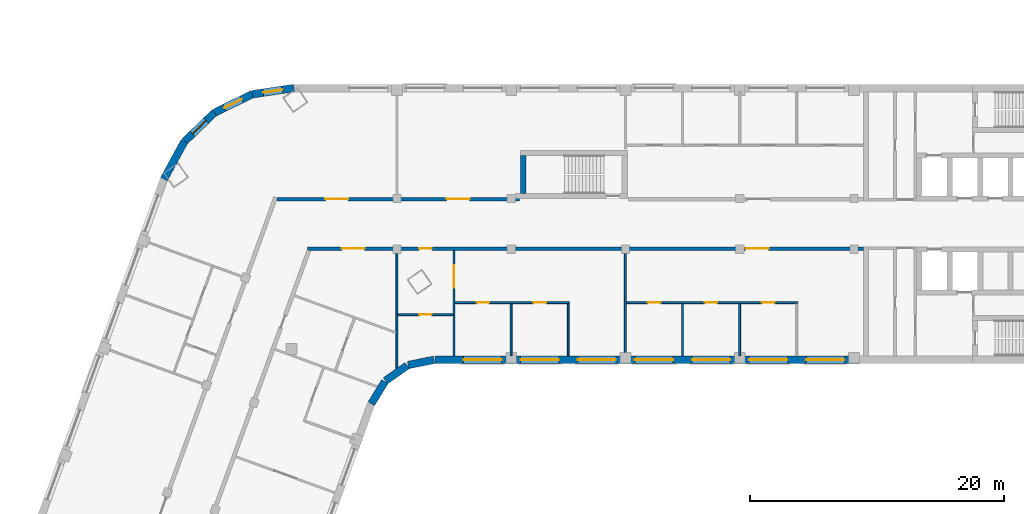
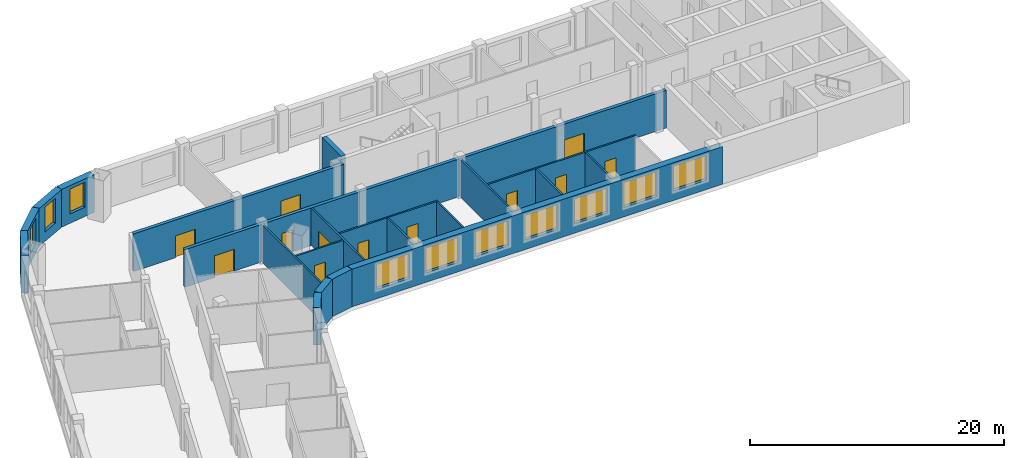
# One storey, part 4 of 12: 21 walls, 12 doors, 10 windows, 22 openings.
"""IFC4 building model written with IfcOpenShell, lengths in metres."""

from ifc_helpers import new_model, si_unit, direction, frame, frame_2d, origin, place, context, subcontext, project, spatial, rectangle, extrude, material, layer, layer_set, type_object, element, fill, save


model = new_model("IFC4")

# Units and contexts
model_context = context("Model", 3, precision=1e-05, world=origin(), true_north=direction((0.0, 1.0)))
body_context = subcontext(model_context, "Body", "Model", "MODEL_VIEW")
ifc_project = project(units=[si_unit("LENGTHUNIT", "METRE"), si_unit("AREAUNIT", "SQUARE_METRE"), si_unit("VOLUMEUNIT", "CUBIC_METRE"), si_unit("PLANEANGLEUNIT", "RADIAN"), si_unit("MASSUNIT", "GRAM", prefix="KILO")], contexts=[model_context])

# Site, building, storey
site_placement = place(None, origin())
site = spatial("IfcSite", under=ifc_project, at=site_placement, CompositionType="ELEMENT")
building_placement = place(site_placement, origin())
building = spatial("IfcBuilding", under=site, at=building_placement, Name="Skarvind Civic Tower", CompositionType="ELEMENT")
storey_placement = place(building_placement, frame((0.0, 0.0, 85.0)))
storey = spatial("IfcBuildingStorey", under=building, at=storey_placement, Name="L19", CompositionType="ELEMENT", Elevation=85.0)

# Wall, openings, doors
ifc_material_1 = material(Name="Fire-rated gypsum board on steel studs", Category="steel")
ifc_layer_1 = layer(ifc_material_1, 0.300048828125)
ifc_layer_set_1 = layer_set([ifc_layer_1], Name="CORRIDOR WALL 300")
wall_type_1 = type_object("IfcWallType", Name="CORRIDOR WALL 300", PredefinedType="PARTITIONING", material=ifc_layer_set_1)
wall_1_placement = place(storey_placement, frame((44.784912109375, 129.949951171875, 0.0), z_axis=(0.0, 0.0, 1.0), x_axis=(1.0, 0.0, 0.0)))
wall_1 = element("IfcWall", 1, at=wall_1_placement, inside=storey, type_object=wall_type_1, Name="Partition 19.013", PredefinedType="PARTITIONING", context=body_context, shape_type="SweptSolid", body=[
    extrude(rectangle(XDim=19.114990234375, YDim=0.300048828125, at=frame_2d((9.5576171875, 0.0))), origin(), (0.0, 0.0, 1.0), 3.625),
])
opening_1_placement = place(wall_1_placement, frame((13.389892578125, 0.0, 0.0)))
opening_1 = element("IfcOpeningElement", 2, at=opening_1_placement, cuts=wall_1, Name="Opening L19-D006", PredefinedType="OPENING", context=body_context, shape_type="SweptSolid", body=[
    extrude(rectangle(XDim=1.800048828125, YDim=2.10009765625, at=frame_2d((0.89990234375, 1.050048828125))), frame((0.0, 0.159912109375, 0.0), z_axis=(0.0, -1.0, 0.0), x_axis=(1.0, 0.0, 0.0)), (0.0, 0.0, 1.0), 0.320068359375),
])
opening_2_placement = place(wall_1_placement, frame((3.822509765625, 0.0, 0.0)))
opening_2 = element("IfcOpeningElement", 3, at=opening_2_placement, cuts=wall_1, Name="Opening L19-D027", PredefinedType="OPENING", context=body_context, shape_type="SweptSolid", body=[
    extrude(rectangle(XDim=1.800048828125, YDim=2.10009765625, at=frame_2d((0.89990234375, 1.050048828125))), frame((0.0, 0.159912109375, 0.0), z_axis=(0.0, -1.0, 0.0), x_axis=(1.0, 0.0, 0.0)), (0.0, 0.0, 1.0), 0.320068359375),
])
ifc_material_2 = material(Name="Fire-rated timber door leaf", Category="wood")
door_type_1 = type_object("IfcDoorType", Name="FD4 1800x2100", OperationType="NOTDEFINED", PredefinedType="DOOR", material=ifc_material_2)
door_1_placement = place(opening_1_placement, origin())
door_1 = element("IfcDoor", 4, at=door_1_placement, inside=storey, type_object=door_type_1, Name="Door L19-D006", OperationType="DOUBLE_DOOR_SINGLE_SWING", OverallHeight=2.10009765625, OverallWidth=1.800048828125, PredefinedType="DOOR", context=body_context, shape_type="SweptSolid", body=[
    extrude(rectangle(XDim=1.800048828125, YDim=2.10009765625, at=frame_2d((0.89990234375, 1.050048828125))), frame((0.0, 0.02490234375, 0.0), z_axis=(0.0, -1.0, 0.0), x_axis=(1.0, 0.0, 0.0)), (0.0, 0.0, 1.0), 0.050048828125),
])
fill(opening_1, door_1)
door_2_placement = place(opening_2_placement, origin())
door_2 = element("IfcDoor", 5, at=door_2_placement, inside=storey, type_object=door_type_1, Name="Door L19-D027", OperationType="DOUBLE_DOOR_SINGLE_SWING", OverallHeight=2.10009765625, OverallWidth=1.800048828125, PredefinedType="DOOR", context=body_context, shape_type="SweptSolid", body=[
    extrude(rectangle(XDim=1.800048828125, YDim=2.10009765625, at=frame_2d((0.89990234375, 1.050048828125))), frame((0.0, 0.02490234375, 0.0), z_axis=(0.0, -1.0, 0.0), x_axis=(1.0, 0.0, 0.0)), (0.0, 0.0, 1.0), 0.050048828125),
])
fill(opening_2, door_2)

wall_2_placement = place(storey_placement, frame((91.0, 126.050048828125, 0.0), z_axis=(0.0, 0.0, 1.0), x_axis=(-1.0, 0.0, 0.0)))
wall_2 = element("IfcWall", 6, at=wall_2_placement, inside=storey, type_object=wall_type_1, Name="Partition 19.039", PredefinedType="PARTITIONING", context=body_context, shape_type="SweptSolid", body=[
    extrude(rectangle(XDim=43.784912109375, YDim=0.300048828125, at=frame_2d((21.892578125, 0.0))), origin(), (0.0, 0.0, 1.0), 3.625),
])
opening_3_placement = place(wall_2_placement, frame((7.47509765625, 0.0, 0.0)))
opening_3 = element("IfcOpeningElement", 7, at=opening_3_placement, cuts=wall_2, Name="Opening L19-D010", PredefinedType="OPENING", context=body_context, shape_type="SweptSolid", body=[
    extrude(rectangle(XDim=1.800048828125, YDim=2.10009765625, at=frame_2d((0.89990234375, 1.050048828125))), frame((0.0, 0.159912109375, 0.0), z_axis=(0.0, -1.0, 0.0), x_axis=(1.0, 0.0, 0.0)), (0.0, 0.0, 1.0), 0.320068359375),
])
opening_4_placement = place(wall_2_placement, frame((34.0, 0.0, 0.0)))
opening_4 = element("IfcOpeningElement", 8, at=opening_4_placement, cuts=wall_2, Name="Opening L19-D011", PredefinedType="OPENING", context=body_context, shape_type="SweptSolid", body=[
    extrude(rectangle(XDim=1.0, YDim=2.10009765625, at=frame_2d((0.5, 1.050048828125))), frame((0.0, 0.159912109375, 0.0), z_axis=(0.0, -1.0, 0.0), x_axis=(1.0, 0.0, 0.0)), (0.0, 0.0, 1.0), 0.320068359375),
])
opening_5_placement = place(wall_2_placement, frame((39.2958984375, 0.0, 0.0)))
opening_5 = element("IfcOpeningElement", 9, at=opening_5_placement, cuts=wall_2, Name="Opening L19-D028", PredefinedType="OPENING", context=body_context, shape_type="SweptSolid", body=[
    extrude(rectangle(XDim=1.800048828125, YDim=2.10009765625, at=frame_2d((0.89990234375, 1.050048828125))), frame((0.0, 0.159912109375, 0.0), z_axis=(0.0, -1.0, 0.0), x_axis=(1.0, 0.0, 0.0)), (0.0, 0.0, 1.0), 0.320068359375),
])
door_type_2 = type_object("IfcDoorType", Name="FD1 1000x2100", OperationType="NOTDEFINED", PredefinedType="DOOR", material=ifc_material_2)
door_3_placement = place(opening_4_placement, origin())
door_3 = element("IfcDoor", 10, at=door_3_placement, inside=storey, type_object=door_type_2, Name="Door L19-D011", OperationType="SINGLE_SWING_LEFT", OverallHeight=2.10009765625, OverallWidth=1.0, PredefinedType="DOOR", context=body_context, shape_type="SweptSolid", body=[
    extrude(rectangle(XDim=1.0, YDim=2.10009765625, at=frame_2d((0.5, 1.050048828125))), frame((0.0, 0.02490234375, 0.0), z_axis=(0.0, -1.0, 0.0), x_axis=(1.0, 0.0, 0.0)), (0.0, 0.0, 1.0), 0.050048828125),
])
fill(opening_4, door_3)
door_4_placement = place(opening_3_placement, origin())
door_4 = element("IfcDoor", 11, at=door_4_placement, inside=storey, type_object=door_type_1, Name="Door L19-D010", OperationType="DOUBLE_DOOR_SINGLE_SWING", OverallHeight=2.10009765625, OverallWidth=1.800048828125, PredefinedType="DOOR", context=body_context, shape_type="SweptSolid", body=[
    extrude(rectangle(XDim=1.800048828125, YDim=2.10009765625, at=frame_2d((0.89990234375, 1.050048828125))), frame((0.0, 0.02490234375, 0.0), z_axis=(0.0, -1.0, 0.0), x_axis=(1.0, 0.0, 0.0)), (0.0, 0.0, 1.0), 0.050048828125),
])
fill(opening_3, door_4)
door_5_placement = place(opening_5_placement, origin())
door_5 = element("IfcDoor", 12, at=door_5_placement, inside=storey, type_object=door_type_1, Name="Door L19-D028", OperationType="DOUBLE_DOOR_SINGLE_SWING", OverallHeight=2.10009765625, OverallWidth=1.800048828125, PredefinedType="DOOR", context=body_context, shape_type="SweptSolid", body=[
    extrude(rectangle(XDim=1.800048828125, YDim=2.10009765625, at=frame_2d((0.89990234375, 1.050048828125))), frame((0.0, 0.02490234375, 0.0), z_axis=(0.0, -1.0, 0.0), x_axis=(1.0, 0.0, 0.0)), (0.0, 0.0, 1.0), 0.050048828125),
])
fill(opening_5, door_5)

# Walls
ifc_material_3 = material(Name="Concrete C80", Category="concrete")
ifc_layer_2 = layer(ifc_material_3, 0.39990234375)
ifc_layer_set_2 = layer_set([ifc_layer_2], Name="Core wall 400 C80")
wall_type_2 = type_object("IfcWallType", Name="Core wall 400 C80", PredefinedType="SHEAR", material=ifc_layer_set_2)
wall_3_placement = place(storey_placement, frame((64.199951171875, 130.39990234375, 0.0), z_axis=(0.0, 0.0, 1.0), x_axis=(0.0, 1.0, 0.0)))
element("IfcWall", 13, at=wall_3_placement, inside=storey, type_object=wall_type_2, Name="Core wall CM west L19", PredefinedType="SHEAR", context=body_context, shape_type="SweptSolid", body=[
    extrude(rectangle(XDim=3.0, YDim=0.39990234375, at=frame_2d((1.5, 0.0))), origin(), (0.0, 0.0, 1.0), 4.0),
])
ifc_material_4 = material(Name="Plasterboard partition on steel studs", Category="steel")
ifc_layer_3 = layer(ifc_material_4, 0.14990234375)
ifc_layer_set_3 = layer_set([ifc_layer_3], Name="PARTITION 150")
wall_type_3 = type_object("IfcWallType", Name="PARTITION 150", PredefinedType="PARTITIONING", material=ifc_layer_set_3)
wall_4_placement = place(storey_placement, frame((54.25, 116.636962890625, 0.0), z_axis=(0.0, 0.0, 1.0), x_axis=(0.0, 1.0, 0.0)))
element("IfcWall", 14, at=wall_4_placement, inside=storey, type_object=wall_type_3, Name="Partition 19.020", PredefinedType="PARTITIONING", context=body_context, shape_type="SweptSolid", body=[
    extrude(rectangle(XDim=9.262939453125, YDim=0.14990234375, at=frame_2d((4.63134765625, 0.0))), origin(), (0.0, 0.0, 1.0), 3.625),
])

# Wall, opening, door
wall_5_placement = place(storey_placement, frame((54.324951171875, 120.85009765625, 0.0), z_axis=(0.0, 0.0, 1.0), x_axis=(1.0, 0.0, 0.0)))
wall_5 = element("IfcWall", 15, at=wall_5_placement, inside=storey, type_object=wall_type_3, Name="Partition 19.021", PredefinedType="PARTITIONING", context=body_context, shape_type="SweptSolid", body=[
    extrude(rectangle(XDim=4.35009765625, YDim=0.14990234375, at=frame_2d((2.175048828125, 0.0))), origin(), (0.0, 0.0, 1.0), 3.625),
])
opening_6_placement = place(wall_5_placement, frame((1.675048828125, 0.0, 0.0)))
opening_6 = element("IfcOpeningElement", 16, at=opening_6_placement, cuts=wall_5, Name="Opening L19-D014", PredefinedType="OPENING", context=body_context, shape_type="SweptSolid", body=[
    extrude(rectangle(XDim=1.0, YDim=2.10009765625, at=frame_2d((0.5, 1.050048828125))), frame((0.0, 0.0849609375, 0.0), z_axis=(0.0, -1.0, 0.0), x_axis=(1.0, 0.0, 0.0)), (0.0, 0.0, 1.0), 0.169921875),
])
ifc_material_5 = material(Name="Timber door leaf", Category="wood")
door_type_3 = type_object("IfcDoorType", Name="D1 1000x2100", OperationType="NOTDEFINED", PredefinedType="DOOR", material=ifc_material_5)
door_6_placement = place(opening_6_placement, origin())
door_6 = element("IfcDoor", 17, at=door_6_placement, inside=storey, type_object=door_type_3, Name="Door L19-D014", OperationType="SINGLE_SWING_LEFT", OverallHeight=2.10009765625, OverallWidth=1.0, PredefinedType="DOOR", context=body_context, shape_type="SweptSolid", body=[
    extrude(rectangle(XDim=1.0, YDim=2.10009765625, at=frame_2d((0.5, 1.050048828125))), frame((0.0, 0.02490234375, 0.0), z_axis=(0.0, -1.0, 0.0), x_axis=(1.0, 0.0, 0.0)), (0.0, 0.0, 1.0), 0.050048828125),
])
fill(opening_6, door_6)

wall_6_placement = place(storey_placement, frame((58.75, 117.60009765625, 0.0), z_axis=(0.0, 0.0, 1.0), x_axis=(0.0, 1.0, 0.0)))
wall_6 = element("IfcWall", 18, at=wall_6_placement, inside=storey, type_object=wall_type_3, Name="Partition 19.023", PredefinedType="PARTITIONING", context=body_context, shape_type="SweptSolid", body=[
    extrude(rectangle(XDim=8.2998046875, YDim=0.14990234375, at=frame_2d((4.14990234375, 0.0))), origin(), (0.0, 0.0, 1.0), 3.625),
])
opening_7_placement = place(wall_6_placement, frame((5.360107421875, 0.0, 0.0)))
opening_7 = element("IfcOpeningElement", 19, at=opening_7_placement, cuts=wall_6, Name="Opening L19-D015", PredefinedType="OPENING", context=body_context, shape_type="SweptSolid", body=[
    extrude(rectangle(XDim=1.800048828125, YDim=2.10009765625, at=frame_2d((0.89990234375, 1.050048828125))), frame((0.0, 0.0849609375, 0.0), z_axis=(0.0, -1.0, 0.0), x_axis=(1.0, 0.0, 0.0)), (0.0, 0.0, 1.0), 0.169921875),
])
door_type_4 = type_object("IfcDoorType", Name="D4 1800x2100", OperationType="NOTDEFINED", PredefinedType="DOOR", material=ifc_material_5)
door_7_placement = place(opening_7_placement, origin())
door_7 = element("IfcDoor", 20, at=door_7_placement, inside=storey, type_object=door_type_4, Name="Door L19-D015", OperationType="DOUBLE_DOOR_SINGLE_SWING", OverallHeight=2.10009765625, OverallWidth=1.800048828125, PredefinedType="DOOR", context=body_context, shape_type="SweptSolid", body=[
    extrude(rectangle(XDim=1.800048828125, YDim=2.10009765625, at=frame_2d((0.89990234375, 1.050048828125))), frame((0.0, 0.02490234375, 0.0), z_axis=(0.0, -1.0, 0.0), x_axis=(1.0, 0.0, 0.0)), (0.0, 0.0, 1.0), 0.050048828125),
])
fill(opening_7, door_7)

# Wall, openings, doors
wall_7_placement = place(storey_placement, frame((58.824951171875, 121.800048828125, 0.0), z_axis=(0.0, 0.0, 1.0), x_axis=(1.0, 0.0, 0.0)))
wall_7 = element("IfcWall", 21, at=wall_7_placement, inside=storey, type_object=wall_type_3, Name="Partition 19.024", PredefinedType="PARTITIONING", context=body_context, shape_type="SweptSolid", body=[
    extrude(rectangle(XDim=9.0, YDim=0.14990234375, at=frame_2d((4.5, 0.0))), origin(), (0.0, 0.0, 1.0), 3.625),
])
opening_8_placement = place(wall_7_placement, frame((1.702392578125, 0.0, 0.0)))
opening_8 = element("IfcOpeningElement", 22, at=opening_8_placement, cuts=wall_7, Name="Opening L19-D012", PredefinedType="OPENING", context=body_context, shape_type="SweptSolid", body=[
    extrude(rectangle(XDim=1.0, YDim=2.10009765625, at=frame_2d((0.5, 1.050048828125))), frame((0.0, 0.0849609375, 0.0), z_axis=(0.0, -1.0, 0.0), x_axis=(1.0, 0.0, 0.0)), (0.0, 0.0, 1.0), 0.169921875),
])
opening_9_placement = place(wall_7_placement, frame((6.175048828125, 0.0, 0.0)))
opening_9 = element("IfcOpeningElement", 23, at=opening_9_placement, cuts=wall_7, Name="Opening L19-D013", PredefinedType="OPENING", context=body_context, shape_type="SweptSolid", body=[
    extrude(rectangle(XDim=1.0, YDim=2.10009765625, at=frame_2d((0.5, 1.050048828125))), frame((0.0, 0.0849609375, 0.0), z_axis=(0.0, -1.0, 0.0), x_axis=(1.0, 0.0, 0.0)), (0.0, 0.0, 1.0), 0.169921875),
])
door_8_placement = place(opening_8_placement, origin())
door_8 = element("IfcDoor", 24, at=door_8_placement, inside=storey, type_object=door_type_3, Name="Door L19-D012", OperationType="SINGLE_SWING_LEFT", OverallHeight=2.10009765625, OverallWidth=1.0, PredefinedType="DOOR", context=body_context, shape_type="SweptSolid", body=[
    extrude(rectangle(XDim=1.0, YDim=2.10009765625, at=frame_2d((0.5, 1.050048828125))), frame((0.0, 0.02490234375, 0.0), z_axis=(0.0, -1.0, 0.0), x_axis=(1.0, 0.0, 0.0)), (0.0, 0.0, 1.0), 0.050048828125),
])
fill(opening_8, door_8)
door_9_placement = place(opening_9_placement, origin())
door_9 = element("IfcDoor", 25, at=door_9_placement, inside=storey, type_object=door_type_3, Name="Door L19-D013", OperationType="SINGLE_SWING_RIGHT", OverallHeight=2.10009765625, OverallWidth=1.0, PredefinedType="DOOR", context=body_context, shape_type="SweptSolid", body=[
    extrude(rectangle(XDim=1.0, YDim=2.10009765625, at=frame_2d((0.5, 1.050048828125))), frame((0.0, 0.02490234375, 0.0), z_axis=(0.0, -1.0, 0.0), x_axis=(1.0, 0.0, 0.0)), (0.0, 0.0, 1.0), 0.050048828125),
])
fill(opening_9, door_9)

# Walls
for number, where, z_axis, x_axis, name in (
    (26, (63.25, 121.72509765625, 0.0), (0.0, 0.0, 1.0), (0.0, -1.0, 0.0), "Partition 19.025"),
    (27, (67.75, 117.60009765625, 0.0), (0.0, 0.0, 1.0), (0.0, 1.0, 0.0), "Partition 19.026"),
):
    element("IfcWall", number, at=place(storey_placement, frame(where, z_axis=z_axis, x_axis=x_axis)), inside=storey, type_object=wall_type_3, Name=name, PredefinedType="PARTITIONING", context=body_context, shape_type="SweptSolid", body=[
        extrude(rectangle(XDim=4.125, YDim=0.14990234375, at=frame_2d((2.0625, 0.0))), origin(), (0.0, 0.0, 1.0), 3.625),
    ])
wall_8_placement = place(storey_placement, frame((72.25, 117.60009765625, 0.0), z_axis=(0.0, 0.0, 1.0), x_axis=(0.0, 1.0, 0.0)))
element("IfcWall", 28, at=wall_8_placement, inside=storey, type_object=wall_type_3, Name="Partition 19.027", PredefinedType="PARTITIONING", context=body_context, shape_type="SweptSolid", body=[
    extrude(rectangle(XDim=8.2998046875, YDim=0.14990234375, at=frame_2d((4.14990234375, 0.0))), origin(), (0.0, 0.0, 1.0), 3.625),
])

# Wall, openings, doors
wall_9_placement = place(storey_placement, frame((72.324951171875, 121.800048828125, 0.0), z_axis=(0.0, 0.0, 1.0), x_axis=(1.0, 0.0, 0.0)))
wall_9 = element("IfcWall", 29, at=wall_9_placement, inside=storey, type_object=wall_type_3, Name="Partition 19.028", PredefinedType="PARTITIONING", context=body_context, shape_type="SweptSolid", body=[
    extrude(rectangle(XDim=13.5, YDim=0.14990234375, at=frame_2d((6.75, 0.0))), origin(), (0.0, 0.0, 1.0), 3.625),
])
opening_10_placement = place(wall_9_placement, frame((10.675048828125, 0.0, 0.0)))
opening_10 = element("IfcOpeningElement", 30, at=opening_10_placement, cuts=wall_9, Name="Opening L19-D007", PredefinedType="OPENING", context=body_context, shape_type="SweptSolid", body=[
    extrude(rectangle(XDim=1.0, YDim=2.10009765625, at=frame_2d((0.5, 1.050048828125))), frame((0.0, 0.0849609375, 0.0), z_axis=(0.0, -1.0, 0.0), x_axis=(1.0, 0.0, 0.0)), (0.0, 0.0, 1.0), 0.169921875),
])
opening_11_placement = place(wall_9_placement, frame((6.175048828125, 0.0, 0.0)))
opening_11 = element("IfcOpeningElement", 31, at=opening_11_placement, cuts=wall_9, Name="Opening L19-D008", PredefinedType="OPENING", context=body_context, shape_type="SweptSolid", body=[
    extrude(rectangle(XDim=1.0, YDim=2.10009765625, at=frame_2d((0.5, 1.050048828125))), frame((0.0, 0.0849609375, 0.0), z_axis=(0.0, -1.0, 0.0), x_axis=(1.0, 0.0, 0.0)), (0.0, 0.0, 1.0), 0.169921875),
])
opening_12_placement = place(wall_9_placement, frame((1.702392578125, 0.0, 0.0)))
opening_12 = element("IfcOpeningElement", 32, at=opening_12_placement, cuts=wall_9, Name="Opening L19-D009", PredefinedType="OPENING", context=body_context, shape_type="SweptSolid", body=[
    extrude(rectangle(XDim=1.0, YDim=2.10009765625, at=frame_2d((0.5, 1.050048828125))), frame((0.0, 0.0849609375, 0.0), z_axis=(0.0, -1.0, 0.0), x_axis=(1.0, 0.0, 0.0)), (0.0, 0.0, 1.0), 0.169921875),
])
door_10_placement = place(opening_10_placement, origin())
door_10 = element("IfcDoor", 33, at=door_10_placement, inside=storey, type_object=door_type_3, Name="Door L19-D007", OperationType="SINGLE_SWING_LEFT", OverallHeight=2.10009765625, OverallWidth=1.0, PredefinedType="DOOR", context=body_context, shape_type="SweptSolid", body=[
    extrude(rectangle(XDim=1.0, YDim=2.10009765625, at=frame_2d((0.5, 1.050048828125))), frame((0.0, 0.02490234375, 0.0), z_axis=(0.0, -1.0, 0.0), x_axis=(1.0, 0.0, 0.0)), (0.0, 0.0, 1.0), 0.050048828125),
])
fill(opening_10, door_10)
door_11_placement = place(opening_11_placement, origin())
door_11 = element("IfcDoor", 34, at=door_11_placement, inside=storey, type_object=door_type_3, Name="Door L19-D008", OperationType="SINGLE_SWING_RIGHT", OverallHeight=2.10009765625, OverallWidth=1.0, PredefinedType="DOOR", context=body_context, shape_type="SweptSolid", body=[
    extrude(rectangle(XDim=1.0, YDim=2.10009765625, at=frame_2d((0.5, 1.050048828125))), frame((0.0, 0.02490234375, 0.0), z_axis=(0.0, -1.0, 0.0), x_axis=(1.0, 0.0, 0.0)), (0.0, 0.0, 1.0), 0.050048828125),
])
fill(opening_11, door_11)
door_12_placement = place(opening_12_placement, origin())
door_12 = element("IfcDoor", 35, at=door_12_placement, inside=storey, type_object=door_type_3, Name="Door L19-D009", OperationType="SINGLE_SWING_LEFT", OverallHeight=2.10009765625, OverallWidth=1.0, PredefinedType="DOOR", context=body_context, shape_type="SweptSolid", body=[
    extrude(rectangle(XDim=1.0, YDim=2.10009765625, at=frame_2d((0.5, 1.050048828125))), frame((0.0, 0.02490234375, 0.0), z_axis=(0.0, -1.0, 0.0), x_axis=(1.0, 0.0, 0.0)), (0.0, 0.0, 1.0), 0.050048828125),
])
fill(opening_12, door_12)

# Walls
for number, where, z_axis, x_axis, name in (
    (36, (76.75, 117.60009765625, 0.0), (0.0, 0.0, 1.0), (0.0, 1.0, 0.0), "Partition 19.032"),
    (37, (81.25, 117.60009765625, 0.0), (0.0, 0.0, 1.0), (0.0, 1.0, 0.0), "Partition 19.035"),
):
    element("IfcWall", number, at=place(storey_placement, frame(where, z_axis=z_axis, x_axis=x_axis)), inside=storey, type_object=wall_type_3, Name=name, PredefinedType="PARTITIONING", context=body_context, shape_type="SweptSolid", body=[
        extrude(rectangle(XDim=4.125, YDim=0.14990234375, at=frame_2d((2.0625, 0.0))), origin(), (0.0, 0.0, 1.0), 3.625),
    ])
ifc_material_6 = material(Name="Limestone masonry cladding on insulated backing", Category="masonry")
ifc_layer_4 = layer(ifc_material_6, 0.60009765625)
ifc_layer_set_4 = layer_set([ifc_layer_4], Name="WX1 STONE FACADE WALL 600")
wall_type_4 = type_object("IfcWallType", Name="WX1 STONE FACADE WALL 600", PredefinedType="SOLIDWALL", material=ifc_layer_set_4)
wall_10_placement = place(storey_placement, frame((53.30517578125, 115.578369140625, 0.0), z_axis=(0.0, 0.0, 1.0), x_axis=(-0.522402266438, -0.852699168535, 0.0)))
element("IfcWall", 38, at=wall_10_placement, inside=storey, type_object=wall_type_4, Name="STONE FACADE WALL", PredefinedType="SOLIDWALL", context=body_context, shape_type="SweptSolid", body=[
    extrude(rectangle(XDim=2.042236328125, YDim=0.60009765625, at=frame_2d((1.02099609375, 0.0))), origin(), (0.0, 0.0, 1.0), 3.625),
])
for number, where, z_axis, x_axis, name in (
    (39, (55.061767578125, 116.8388671875, 0.0), (0.0, 0.0, 1.0), (-0.819122269495, -0.573618956815, 0.0), "STONE FACADE WALL"),
    (40, (57.17529296875, 117.2939453125, 0.0), (0.0, 0.0, 1.0), (-0.97996099083, -0.19918949885, 0.0), "STONE FACADE WALL"),
):
    element("IfcWall", number, at=place(storey_placement, frame(where, z_axis=z_axis, x_axis=x_axis)), inside=storey, type_object=wall_type_4, Name=name, PredefinedType="SOLIDWALL", context=body_context, shape_type="SweptSolid", body=[
        extrude(rectangle(XDim=2.09228515625, YDim=0.60009765625, at=frame_2d((1.046142578125, 0.0))), origin(), (0.0, 0.0, 1.0), 3.625),
    ])

# Wall, openings, windows
wall_11_placement = place(storey_placement, frame((90.97998046875, 117.300048828125, 0.0), z_axis=(0.0, 0.0, 1.0), x_axis=(-1.0, 0.0, 0.0)))
wall_11 = element("IfcWall", 41, at=wall_11_placement, inside=storey, type_object=wall_type_4, Name="STONE FACADE WALL", PredefinedType="SOLIDWALL", context=body_context, shape_type="SweptSolid", body=[
    extrude(rectangle(XDim=33.744873046875, YDim=0.60009765625, at=frame_2d((16.87255859375, 0.0))), origin(), (0.0, 0.0, 1.0), 3.625),
])
opening_13_placement = place(wall_11_placement, frame((1.47998046875, 0.0, 0.89990234375)))
opening_13 = element("IfcOpeningElement", 42, at=opening_13_placement, cuts=wall_11, Name="Opening WN1", PredefinedType="OPENING", context=body_context, shape_type="SweptSolid", body=[
    extrude(rectangle(XDim=3.0, YDim=2.39990234375, at=frame_2d((1.5, 1.199951171875))), frame((0.0, 0.31005859375, 0.0), z_axis=(0.0, -1.0, 0.0), x_axis=(1.0, 0.0, 0.0)), (0.0, 0.0, 1.0), 0.6201171875),
])
opening_14_placement = place(wall_11_placement, frame((5.97998046875, 0.0, 0.89990234375)))
opening_14 = element("IfcOpeningElement", 43, at=opening_14_placement, cuts=wall_11, Name="Opening WN1", PredefinedType="OPENING", context=body_context, shape_type="SweptSolid", body=[
    extrude(rectangle(XDim=3.0, YDim=2.39990234375, at=frame_2d((1.5, 1.199951171875))), frame((0.0, 0.31005859375, 0.0), z_axis=(0.0, -1.0, 0.0), x_axis=(1.0, 0.0, 0.0)), (0.0, 0.0, 1.0), 0.6201171875),
])
opening_15_placement = place(wall_11_placement, frame((10.47998046875, 0.0, 0.89990234375)))
opening_15 = element("IfcOpeningElement", 44, at=opening_15_placement, cuts=wall_11, Name="Opening WN1", PredefinedType="OPENING", context=body_context, shape_type="SweptSolid", body=[
    extrude(rectangle(XDim=3.0, YDim=2.39990234375, at=frame_2d((1.5, 1.199951171875))), frame((0.0, 0.31005859375, 0.0), z_axis=(0.0, -1.0, 0.0), x_axis=(1.0, 0.0, 0.0)), (0.0, 0.0, 1.0), 0.6201171875),
])
opening_16_placement = place(wall_11_placement, frame((14.97998046875, 0.0, 0.89990234375)))
opening_16 = element("IfcOpeningElement", 45, at=opening_16_placement, cuts=wall_11, Name="Opening WN1", PredefinedType="OPENING", context=body_context, shape_type="SweptSolid", body=[
    extrude(rectangle(XDim=3.0, YDim=2.39990234375, at=frame_2d((1.5, 1.199951171875))), frame((0.0, 0.31005859375, 0.0), z_axis=(0.0, -1.0, 0.0), x_axis=(1.0, 0.0, 0.0)), (0.0, 0.0, 1.0), 0.6201171875),
])
opening_17_placement = place(wall_11_placement, frame((19.47998046875, 0.0, 0.89990234375)))
opening_17 = element("IfcOpeningElement", 46, at=opening_17_placement, cuts=wall_11, Name="Opening WN1", PredefinedType="OPENING", context=body_context, shape_type="SweptSolid", body=[
    extrude(rectangle(XDim=3.0, YDim=2.39990234375, at=frame_2d((1.5, 1.199951171875))), frame((0.0, 0.31005859375, 0.0), z_axis=(0.0, -1.0, 0.0), x_axis=(1.0, 0.0, 0.0)), (0.0, 0.0, 1.0), 0.6201171875),
])
opening_18_placement = place(wall_11_placement, frame((23.97998046875, 0.0, 0.89990234375)))
opening_18 = element("IfcOpeningElement", 47, at=opening_18_placement, cuts=wall_11, Name="Opening WN1", PredefinedType="OPENING", context=body_context, shape_type="SweptSolid", body=[
    extrude(rectangle(XDim=3.0, YDim=2.39990234375, at=frame_2d((1.5, 1.199951171875))), frame((0.0, 0.31005859375, 0.0), z_axis=(0.0, -1.0, 0.0), x_axis=(1.0, 0.0, 0.0)), (0.0, 0.0, 1.0), 0.6201171875),
])
opening_19_placement = place(wall_11_placement, frame((28.47998046875, 0.0, 0.89990234375)))
opening_19 = element("IfcOpeningElement", 48, at=opening_19_placement, cuts=wall_11, Name="Opening WN1", PredefinedType="OPENING", context=body_context, shape_type="SweptSolid", body=[
    extrude(rectangle(XDim=3.0, YDim=2.39990234375, at=frame_2d((1.5, 1.199951171875))), frame((0.0, 0.31005859375, 0.0), z_axis=(0.0, -1.0, 0.0), x_axis=(1.0, 0.0, 0.0)), (0.0, 0.0, 1.0), 0.6201171875),
])
ifc_material_7 = material(Name="Timber frame, double glazing, timber-lined reveal", Category="wood")
window_type_1 = type_object("IfcWindowType", Name="WN1 PUNCHED STONE WINDOW 3000 x 2400", PartitioningType="SINGLE_PANEL", PredefinedType="WINDOW", material=ifc_material_7)
window_1_placement = place(opening_13_placement, origin())
window_1 = element("IfcWindow", 49, at=window_1_placement, inside=storey, type_object=window_type_1, Name="WN1 WINDOW", OverallHeight=2.39990234375, OverallWidth=3.0, PartitioningType="SINGLE_PANEL", PredefinedType="WINDOW", context=body_context, shape_type="SweptSolid", body=[
    extrude(rectangle(XDim=3.0, YDim=2.39990234375, at=frame_2d((1.5, 1.199951171875))), frame((0.0, 0.030029296875, 0.0), z_axis=(0.0, -1.0, 0.0), x_axis=(1.0, 0.0, 0.0)), (0.0, 0.0, 1.0), 0.06005859375),
])
fill(opening_13, window_1)
window_2_placement = place(opening_14_placement, origin())
window_2 = element("IfcWindow", 50, at=window_2_placement, inside=storey, type_object=window_type_1, Name="WN1 WINDOW", OverallHeight=2.39990234375, OverallWidth=3.0, PartitioningType="SINGLE_PANEL", PredefinedType="WINDOW", context=body_context, shape_type="SweptSolid", body=[
    extrude(rectangle(XDim=3.0, YDim=2.39990234375, at=frame_2d((1.5, 1.199951171875))), frame((0.0, 0.030029296875, 0.0), z_axis=(0.0, -1.0, 0.0), x_axis=(1.0, 0.0, 0.0)), (0.0, 0.0, 1.0), 0.06005859375),
])
fill(opening_14, window_2)
window_3_placement = place(opening_15_placement, origin())
window_3 = element("IfcWindow", 51, at=window_3_placement, inside=storey, type_object=window_type_1, Name="WN1 WINDOW", OverallHeight=2.39990234375, OverallWidth=3.0, PartitioningType="SINGLE_PANEL", PredefinedType="WINDOW", context=body_context, shape_type="SweptSolid", body=[
    extrude(rectangle(XDim=3.0, YDim=2.39990234375, at=frame_2d((1.5, 1.199951171875))), frame((0.0, 0.030029296875, 0.0), z_axis=(0.0, -1.0, 0.0), x_axis=(1.0, 0.0, 0.0)), (0.0, 0.0, 1.0), 0.06005859375),
])
fill(opening_15, window_3)
window_4_placement = place(opening_16_placement, origin())
window_4 = element("IfcWindow", 52, at=window_4_placement, inside=storey, type_object=window_type_1, Name="WN1 WINDOW", OverallHeight=2.39990234375, OverallWidth=3.0, PartitioningType="SINGLE_PANEL", PredefinedType="WINDOW", context=body_context, shape_type="SweptSolid", body=[
    extrude(rectangle(XDim=3.0, YDim=2.39990234375, at=frame_2d((1.5, 1.199951171875))), frame((0.0, 0.030029296875, 0.0), z_axis=(0.0, -1.0, 0.0), x_axis=(1.0, 0.0, 0.0)), (0.0, 0.0, 1.0), 0.06005859375),
])
fill(opening_16, window_4)
window_5_placement = place(opening_17_placement, origin())
window_5 = element("IfcWindow", 53, at=window_5_placement, inside=storey, type_object=window_type_1, Name="WN1 WINDOW", OverallHeight=2.39990234375, OverallWidth=3.0, PartitioningType="SINGLE_PANEL", PredefinedType="WINDOW", context=body_context, shape_type="SweptSolid", body=[
    extrude(rectangle(XDim=3.0, YDim=2.39990234375, at=frame_2d((1.5, 1.199951171875))), frame((0.0, 0.030029296875, 0.0), z_axis=(0.0, -1.0, 0.0), x_axis=(1.0, 0.0, 0.0)), (0.0, 0.0, 1.0), 0.06005859375),
])
fill(opening_17, window_5)
window_6_placement = place(opening_18_placement, origin())
window_6 = element("IfcWindow", 54, at=window_6_placement, inside=storey, type_object=window_type_1, Name="WN1 WINDOW", OverallHeight=2.39990234375, OverallWidth=3.0, PartitioningType="SINGLE_PANEL", PredefinedType="WINDOW", context=body_context, shape_type="SweptSolid", body=[
    extrude(rectangle(XDim=3.0, YDim=2.39990234375, at=frame_2d((1.5, 1.199951171875))), frame((0.0, 0.030029296875, 0.0), z_axis=(0.0, -1.0, 0.0), x_axis=(1.0, 0.0, 0.0)), (0.0, 0.0, 1.0), 0.06005859375),
])
fill(opening_18, window_6)
window_7_placement = place(opening_19_placement, origin())
window_7 = element("IfcWindow", 55, at=window_7_placement, inside=storey, type_object=window_type_1, Name="WN1 WINDOW", OverallHeight=2.39990234375, OverallWidth=3.0, PartitioningType="SINGLE_PANEL", PredefinedType="WINDOW", context=body_context, shape_type="SweptSolid", body=[
    extrude(rectangle(XDim=3.0, YDim=2.39990234375, at=frame_2d((1.5, 1.199951171875))), frame((0.0, 0.030029296875, 0.0), z_axis=(0.0, -1.0, 0.0), x_axis=(1.0, 0.0, 0.0)), (0.0, 0.0, 1.0), 0.06005859375),
])
fill(opening_19, window_7)

# Wall, opening, window
wall_12_placement = place(storey_placement, frame((42.872802734375, 138.21728515625, 0.0), z_axis=(0.0, 0.0, 1.0), x_axis=(0.989110792192, 0.14717282619, 0.0)))
wall_12 = element("IfcWall", 56, at=wall_12_placement, inside=storey, type_object=wall_type_4, Name="STONE FACADE WALL", PredefinedType="SOLIDWALL", context=body_context, shape_type="SweptSolid", body=[
    extrude(rectangle(XDim=3.302734375, YDim=0.60009765625, at=frame_2d((1.6513671875, 0.0))), origin(), (0.0, 0.0, 1.0), 3.625),
])
opening_20_placement = place(wall_12_placement, frame((0.8564453125, 0.0, 0.89990234375)))
opening_20 = element("IfcOpeningElement", 57, at=opening_20_placement, cuts=wall_12, Name="Opening WN8", PredefinedType="OPENING", context=body_context, shape_type="SweptSolid", body=[
    extrude(rectangle(XDim=1.5, YDim=2.39990234375, at=frame_2d((0.75, 1.199951171875))), frame((0.0, 0.31005859375, 0.0), z_axis=(0.0, -1.0, 0.0), x_axis=(1.0, 0.0, 0.0)), (0.0, 0.0, 1.0), 0.6201171875),
])
window_type_2 = type_object("IfcWindowType", Name="WN8 ARC BAY WINDOW 1500 x 2400", PartitioningType="SINGLE_PANEL", PredefinedType="WINDOW", material=ifc_material_7)
window_8_placement = place(opening_20_placement, origin())
window_8 = element("IfcWindow", 58, at=window_8_placement, inside=storey, type_object=window_type_2, Name="WN8 WINDOW", OverallHeight=2.39990234375, OverallWidth=1.5, PartitioningType="SINGLE_PANEL", PredefinedType="WINDOW", context=body_context, shape_type="SweptSolid", body=[
    extrude(rectangle(XDim=1.5, YDim=2.39990234375, at=frame_2d((0.75, 1.199951171875))), frame((0.0, 0.030029296875, 0.0), z_axis=(0.0, -1.0, 0.0), x_axis=(1.0, 0.0, 0.0)), (0.0, 0.0, 1.0), 0.06005859375),
])
fill(opening_20, window_8)

wall_13_placement = place(storey_placement, frame((39.9072265625, 136.77587890625, 0.0), z_axis=(0.0, 0.0, 1.0), x_axis=(0.89761231107, 0.440785819889, 0.0)))
wall_13 = element("IfcWall", 59, at=wall_13_placement, inside=storey, type_object=wall_type_4, Name="STONE FACADE WALL", PredefinedType="SOLIDWALL", context=body_context, shape_type="SweptSolid", body=[
    extrude(rectangle(XDim=3.302734375, YDim=0.60009765625, at=frame_2d((1.6513671875, 0.0))), origin(), (0.0, 0.0, 1.0), 3.625),
])
opening_21_placement = place(wall_13_placement, frame((0.8564453125, 0.0, 0.89990234375)))
opening_21 = element("IfcOpeningElement", 60, at=opening_21_placement, cuts=wall_13, Name="Opening WN8", PredefinedType="OPENING", context=body_context, shape_type="SweptSolid", body=[
    extrude(rectangle(XDim=1.5, YDim=2.39990234375, at=frame_2d((0.75, 1.199951171875))), frame((0.0, 0.31005859375, 0.0), z_axis=(0.0, -1.0, 0.0), x_axis=(1.0, 0.0, 0.0)), (0.0, 0.0, 1.0), 0.6201171875),
])
window_9_placement = place(opening_21_placement, origin())
window_9 = element("IfcWindow", 61, at=window_9_placement, inside=storey, type_object=window_type_2, Name="WN8 WINDOW", OverallHeight=2.39990234375, OverallWidth=1.5, PartitioningType="SINGLE_PANEL", PredefinedType="WINDOW", context=body_context, shape_type="SweptSolid", body=[
    extrude(rectangle(XDim=1.5, YDim=2.39990234375, at=frame_2d((0.75, 1.199951171875))), frame((0.0, 0.030029296875, 0.0), z_axis=(0.0, -1.0, 0.0), x_axis=(1.0, 0.0, 0.0)), (0.0, 0.0, 1.0), 0.06005859375),
])
fill(opening_21, window_9)

wall_14_placement = place(storey_placement, frame((37.520263671875, 134.501220703125, 0.0), z_axis=(0.0, 0.0, 1.0), x_axis=(0.72115684486, 0.692771827596, 0.0)))
wall_14 = element("IfcWall", 62, at=wall_14_placement, inside=storey, type_object=wall_type_4, Name="STONE FACADE WALL", PredefinedType="SOLIDWALL", context=body_context, shape_type="SweptSolid", body=[
    extrude(rectangle(XDim=3.302734375, YDim=0.60009765625, at=frame_2d((1.6513671875, 0.0))), origin(), (0.0, 0.0, 1.0), 3.625),
])
opening_22_placement = place(wall_14_placement, frame((0.8564453125, 0.0, 0.89990234375)))
opening_22 = element("IfcOpeningElement", 63, at=opening_22_placement, cuts=wall_14, Name="Opening WN8", PredefinedType="OPENING", context=body_context, shape_type="SweptSolid", body=[
    extrude(rectangle(XDim=1.5, YDim=2.39990234375, at=frame_2d((0.75, 1.199951171875))), frame((0.0, 0.31005859375, 0.0), z_axis=(0.0, -1.0, 0.0), x_axis=(1.0, 0.0, 0.0)), (0.0, 0.0, 1.0), 0.6201171875),
])
window_10_placement = place(opening_22_placement, origin())
window_10 = element("IfcWindow", 64, at=window_10_placement, inside=storey, type_object=window_type_2, Name="WN8 WINDOW", OverallHeight=2.39990234375, OverallWidth=1.5, PartitioningType="SINGLE_PANEL", PredefinedType="WINDOW", context=body_context, shape_type="SweptSolid", body=[
    extrude(rectangle(XDim=1.5, YDim=2.39990234375, at=frame_2d((0.75, 1.199951171875))), frame((0.0, 0.030029296875, 0.0), z_axis=(0.0, -1.0, 0.0), x_axis=(1.0, 0.0, 0.0)), (0.0, 0.0, 1.0), 0.06005859375),
])
fill(opening_22, window_10)

# Wall
wall_15_placement = place(storey_placement, frame((35.89453125, 131.529541015625, 0.0), z_axis=(0.0, 0.0, 1.0), x_axis=(0.476531180538, 0.879157570618, 0.0)))
element("IfcWall", 65, at=wall_15_placement, inside=storey, type_object=wall_type_4, Name="STONE FACADE WALL", PredefinedType="SOLIDWALL", context=body_context, shape_type="SweptSolid", body=[
    extrude(rectangle(XDim=3.392578125, YDim=0.60009765625, at=frame_2d((1.6962890625, 0.0))), origin(), (0.0, 0.0, 1.0), 3.625),
])

save(model, "model.ifc")
